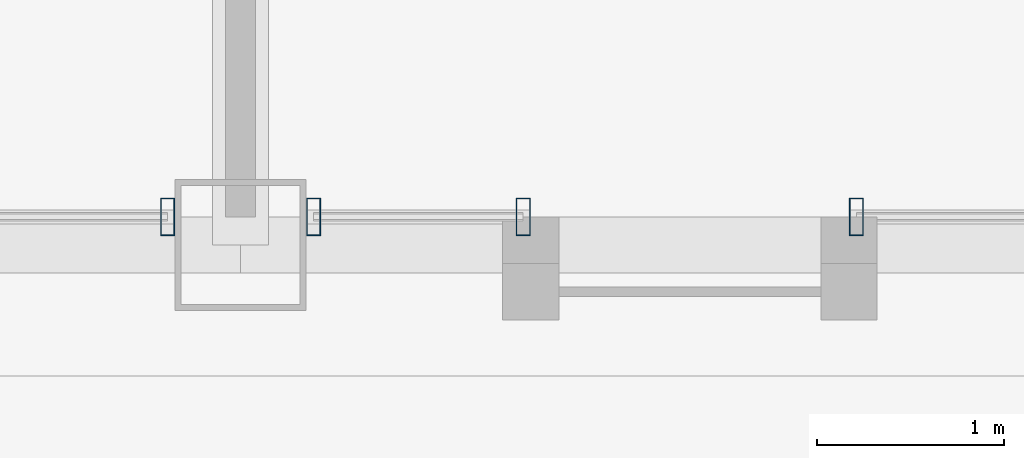
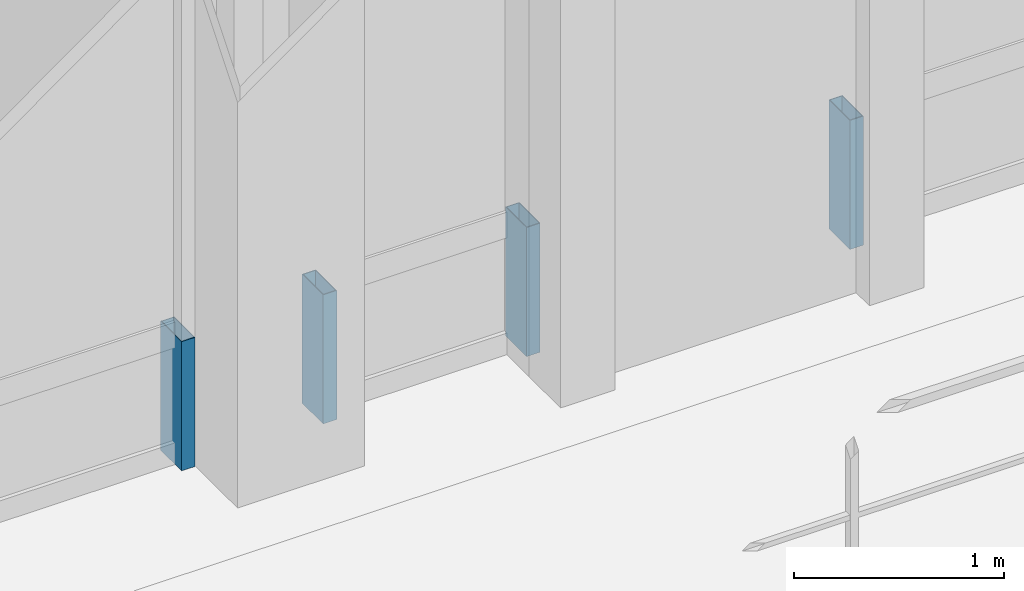
# One storey, part 20 of 33: 4 members, 3 elements without a shape of their own.
"""IFC4 building model written with IfcOpenShell, lengths in metres."""

from ifc_helpers import new_model, si_unit, direction, frame, origin, origin_2d, place, context, subcontext, project, spatial, hollow_rectangle, extrude, source, transform, mapped, material, layer, layer_set, material_profile, profile_set, type_object, element, aggregate, save


model = new_model("IFC4")

# Units and contexts
model_context = context("Model", 3, precision=1e-05, world=origin(), true_north=direction((0.0, 1.0)))
body_context = subcontext(model_context, "Body", "Model", "MODEL_VIEW")
ifc_project = project(units=[si_unit("LENGTHUNIT", "METRE"), si_unit("AREAUNIT", "SQUARE_METRE"), si_unit("VOLUMEUNIT", "CUBIC_METRE"), si_unit("PLANEANGLEUNIT", "RADIAN"), si_unit("MASSUNIT", "GRAM", prefix="KILO"), si_unit("THERMODYNAMICTEMPERATUREUNIT", "KELVIN"), si_unit("POWERUNIT", "WATT")], contexts=[model_context])

# Site, building, storey
site_placement = place(None, origin())
site = spatial("IfcSite", under=ifc_project, at=site_placement, CompositionType="ELEMENT")
building_placement = place(site_placement, origin())
building = spatial("IfcBuilding", under=site, at=building_placement, Name="Yuzanri Waterfront Tower", CompositionType="ELEMENT")
storey_placement = place(building_placement, frame((0.0, 0.0, 321.699951171875)))
storey = spatial("IfcBuildingStorey", under=building, at=storey_placement, Name="L86", CompositionType="ELEMENT", Elevation=321.699951171875)

# Curtain wall, member
ifc_material_1 = material(Name="Anodized Architectural Bronze", Category="metal")
ifc_layer = layer(ifc_material_1, 0.159912109375)
ifc_layer_set = layer_set([ifc_layer], Name="Anodized Architectural Bronze")
curtain_wall_type = type_object("IfcCurtainWallType", Name="Anodized Bronze High-Rise Penthouse High-Wind Unitized Curtain Wall 6900", PredefinedType="NOTDEFINED", material=ifc_layer_set)
curtain_wall_1_placement = place(storey_placement, origin())
curtain_wall_1 = element("IfcCurtainWall", 1, at=curtain_wall_1_placement, inside=storey, type_object=curtain_wall_type, Name="L86 Curtain Wall CW-L86-SL", PredefinedType="NOTDEFINED")
ifc_material_2 = material(Name="Anodized Architectural Bronze", Category="metal")
ifc_material_profile = material_profile(ifc_material_2, hollow_rectangle(XDim=0.074951171875, YDim=0.199951171875, WallThickness=0.00390625, at=origin_2d()), Name="CWM 75x200")
ifc_profile_set = profile_set([ifc_material_profile], Name="Anodized Architectural Bronze")
member_type = type_object("IfcMemberType", Name="Anodized Bronze Primary Curtain-Wall Mullion 75x200", PredefinedType="MULLION", material=ifc_profile_set)
shared_shape = source(origin(), body_context, "Body", "SweptSolid", [
    extrude(hollow_rectangle(XDim=0.074951171875, YDim=0.199951171875, WallThickness=0.00390625, at=origin_2d()), origin(), (0.0, 0.0, 1.0), 0.751953125),
])
member_1_placement = place(storey_placement, frame((36.610107421875, 6.85009765625, 0.0), z_axis=(0.0, 0.0, 1.0), x_axis=(1.0, 0.0, 0.0)))
member_1 = element("IfcMember", 2, at=member_1_placement, type_object=member_type, Name="CW-L86-SL Lower Mullion 02", PredefinedType="MULLION", context=body_context, shape_type="MappedRepresentation", body=[
    mapped(shared_shape, transform((0.0, 0.0, 0.0), scale=1.0)),
])
aggregate(curtain_wall_1, [member_1])

# Curtain wall, members
curtain_wall_2_placement = place(storey_placement, origin())
curtain_wall_2 = element("IfcCurtainWall", 3, at=curtain_wall_2_placement, inside=storey, type_object=curtain_wall_type, Name="L86 Curtain Wall CW-L86-SR1", PredefinedType="NOTDEFINED")
member_2_placement = place(storey_placement, frame((37.389892578125, 6.85009765625, 0.0), z_axis=(0.0, 0.0, 1.0), x_axis=(1.0, 0.0, 0.0)))
member_2 = element("IfcMember", 4, at=member_2_placement, type_object=member_type, Name="CW-L86-SR1 Lower Mullion 00", PredefinedType="MULLION", context=body_context, shape_type="MappedRepresentation", body=[
    mapped(shared_shape, transform((0.0, 0.0, 0.0), scale=1.0)),
])
member_3_placement = place(storey_placement, frame((38.510009765625, 6.85009765625, 0.0), z_axis=(0.0, 0.0, 1.0), x_axis=(1.0, 0.0, 0.0)))
member_3 = element("IfcMember", 5, at=member_3_placement, type_object=member_type, Name="CW-L86-SR1 Lower Mullion 01", PredefinedType="MULLION", context=body_context, shape_type="MappedRepresentation", body=[
    mapped(shared_shape, transform((0.0, 0.0, 0.0), scale=1.0)),
])
aggregate(curtain_wall_2, [member_2, member_3])

# Curtain wall, member
curtain_wall_3_placement = place(storey_placement, origin())
curtain_wall_3 = element("IfcCurtainWall", 6, at=curtain_wall_3_placement, inside=storey, type_object=curtain_wall_type, Name="L86 Curtain Wall CW-L86-SR2", PredefinedType="NOTDEFINED")
member_4_placement = place(storey_placement, frame((40.2900390625, 6.85009765625, 0.0), z_axis=(0.0, 0.0, 1.0), x_axis=(1.0, 0.0, 0.0)))
member_4 = element("IfcMember", 7, at=member_4_placement, type_object=member_type, Name="CW-L86-SR2 Lower Mullion 00", PredefinedType="MULLION", context=body_context, shape_type="MappedRepresentation", body=[
    mapped(shared_shape, transform((0.0, 0.0, 0.0), scale=1.0)),
])
aggregate(curtain_wall_3, [member_4])

save(model, "model.ifc")
